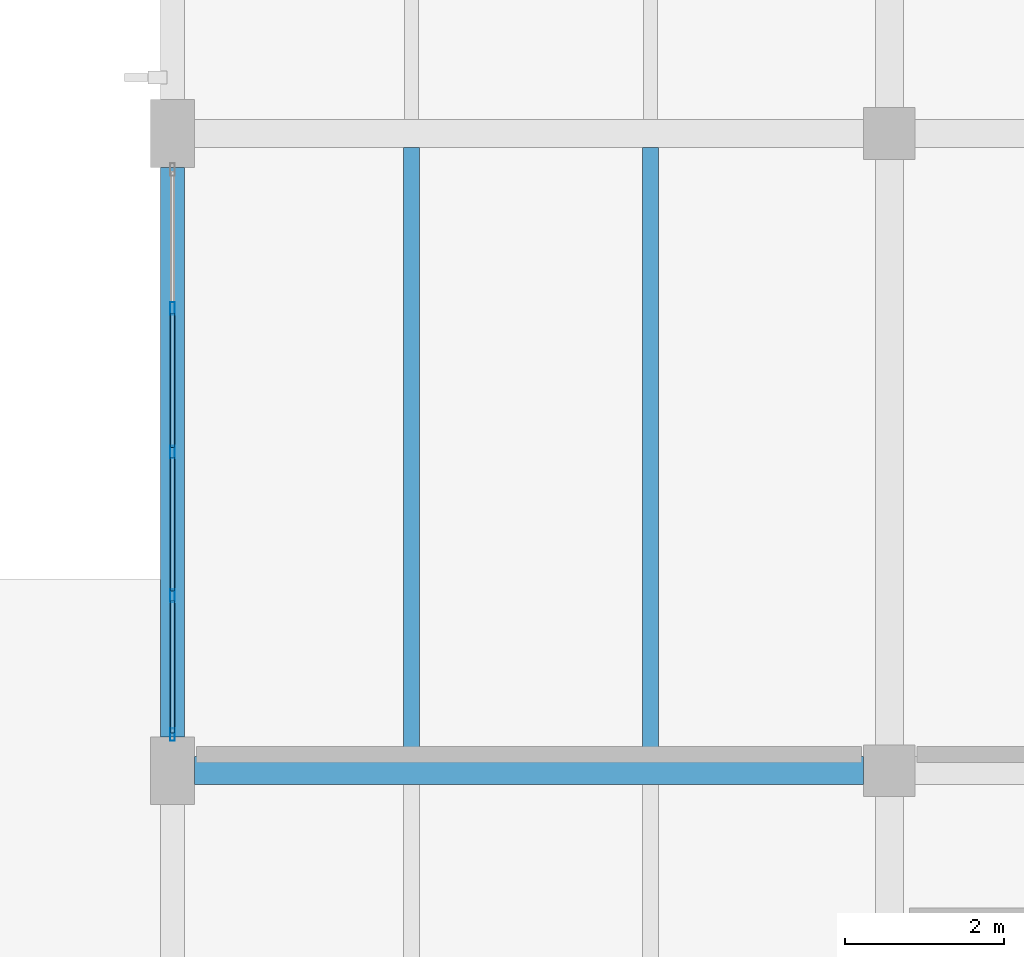
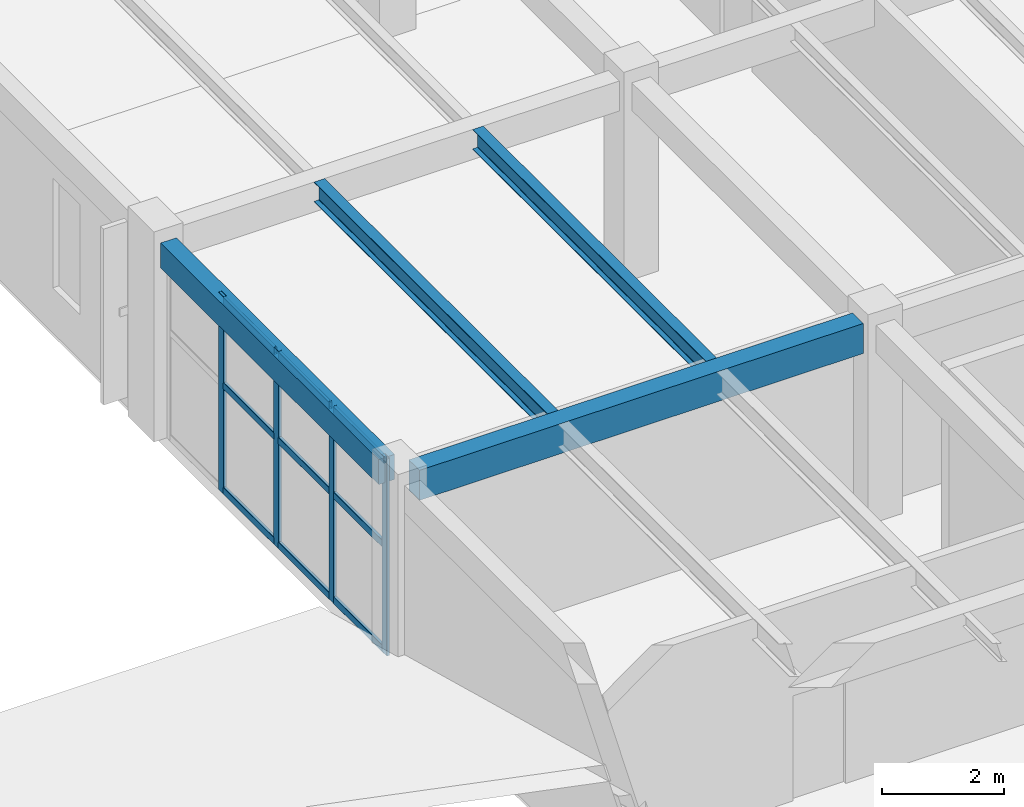
# One storey, part 22 of 71: 13 members, 4 beams, 1 element without a shape of its own.
"""IFC4 building model written with IfcOpenShell, lengths in metres."""

import ifcopenshell
import ifcopenshell.guid

model = None  # the IFC model being written
_history = None  # IfcOwnerHistory: only IFC2X3 demands one
_inside = {}  # id of a spatial element -> (the spatial element, [elements in it])
_under = {}  # id of a project, library or spatial element -> (it, [spatial elements below it])
_declared = {}  # id of a project -> (the project, [libraries it declares])
_typed = {}  # id of a type object -> (the type object, [elements of that type])
_made_of = {}  # id of a material, layer set ... -> (it, [elements and type objects made of it])


def new_model(schema):
    """Start an empty IFC model of exactly this schema.

    Asked for "IFC4X3", IfcOpenShell would pick the latest addendum, in which some entities
    have other attributes; the version numbers below select the first issue.
    IFC2X3 requires an IfcOwnerHistory on every rooted entity: one is made here for all.
    """
    global model, _history
    if schema == "IFC4X3":
        model = ifcopenshell.file(schema_version=(4, 3, 0, 0))
    else:
        model = ifcopenshell.file(schema=schema)
    _inside.clear()
    _under.clear()
    _declared.clear()
    _typed.clear()
    _made_of.clear()
    _history = None
    if model.schema == "IFC2X3":
        org = make("IfcOrganization", Name="unknown")
        user = make(
            "IfcPersonAndOrganization",
            ThePerson=make("IfcPerson", FamilyName="unknown"),
            TheOrganization=org,
        )
        app = make(
            "IfcApplication",
            ApplicationDeveloper=org,
            Version="unknown",
            ApplicationFullName="unknown",
            ApplicationIdentifier="unknown",
        )
        _history = make(
            "IfcOwnerHistory",
            OwningUser=user,
            OwningApplication=app,
            ChangeAction="ADDED",
            CreationDate=0,
        )
    return model


def make(cls, **values):
    """One entity of the class cls with the attributes given. An attribute that is None is left unset."""
    return model.create_entity(
        cls, **{name: value for name, value in values.items() if value is not None}
    )


def rooted(cls, **values):
    """An entity with a GlobalId (a new one), such as an element, a storey or a relation."""
    return make(cls, GlobalId=ifcopenshell.guid.new(), OwnerHistory=_history, **values)


def si_unit(unit_type, name, prefix=None):
    """IfcSIUnit, for example si_unit("LENGTHUNIT", "METRE", prefix="MILLI")."""
    return make("IfcSIUnit", UnitType=unit_type, Prefix=prefix, Name=name)


def derived_unit(unit_type, elements):
    """IfcDerivedUnit: a product of units, each with its exponent."""
    return make(
        "IfcDerivedUnit",
        Elements=[
            make("IfcDerivedUnitElement", Unit=unit, Exponent=power)
            for unit, power in elements
        ],
        UnitType=unit_type,
    )


def assignment(units):
    """IfcUnitAssignment: the units of a project."""
    return None if units is None else make("IfcUnitAssignment", Units=units)


def point(xyz):
    """IfcCartesianPoint."""
    return None if xyz is None else make("IfcCartesianPoint", Coordinates=xyz)


def direction(xyz):
    """IfcDirection."""
    return None if xyz is None else make("IfcDirection", DirectionRatios=xyz)


def frame(location, z_axis=None, x_axis=None):
    """IfcAxis2Placement3D, a coordinate frame: its origin and axes. An axis left out is left unset."""
    return make(
        "IfcAxis2Placement3D",
        Location=point(location),
        Axis=direction(z_axis),
        RefDirection=direction(x_axis),
    )


def frame_2d(location, x_axis=None):
    """IfcAxis2Placement2D, a coordinate frame in the plane: its origin and x axis."""
    return make(
        "IfcAxis2Placement2D", Location=point(location), RefDirection=direction(x_axis)
    )


def origin():
    """The frame at (0, 0, 0) with its axes left unset."""
    return frame((0.0, 0.0, 0.0))


def origin_2d():
    """The frame at (0, 0) in the plane with its x axis left unset."""
    return frame_2d((0.0, 0.0))


def place(relative_to, where):
    """IfcLocalPlacement: puts the frame where relative to a parent placement (None: the world)."""
    return make(
        "IfcLocalPlacement", PlacementRelTo=relative_to, RelativePlacement=where
    )


def context(
    kind, dimensions, precision=None, world=None, true_north=None, identifier=None
):
    """IfcGeometricRepresentationContext, for example the 3D "Model" context."""
    return make(
        "IfcGeometricRepresentationContext",
        ContextIdentifier=identifier,
        ContextType=kind,
        CoordinateSpaceDimension=dimensions,
        Precision=precision,
        WorldCoordinateSystem=world,
        TrueNorth=true_north,
    )


def subcontext(parent, identifier, kind, view, scale=None):
    """IfcGeometricRepresentationSubContext, for example "Body" below "Model"."""
    return make(
        "IfcGeometricRepresentationSubContext",
        ContextIdentifier=identifier,
        ContextType=kind,
        ParentContext=parent,
        TargetScale=scale,
        TargetView=view,
    )


def project(units=None, contexts=None):
    """IfcProject with its units and contexts."""
    return rooted(
        "IfcProject",
        Name="project",
        RepresentationContexts=contexts,
        UnitsInContext=assignment(units),
    )


def spatial(cls, under=None, at=None, **own):
    """A site, building, storey or space (cls), placed at a placement, below another one or the project."""
    s = rooted(cls, ObjectPlacement=at, **own)
    if under is not None:
        _under.setdefault(under.id(), (under, []))[1].append(s)
    return s


def profile(cls, at=None, kind="AREA", **sizes):
    """A parametric profile (cls). Its sizes go by their IFC names, for example OverallWidth=200.0."""
    return make(cls, ProfileType=kind, Position=at, **sizes)


def rectangle(**sizes):
    """IfcRectangleProfileDef."""
    return profile("IfcRectangleProfileDef", **sizes)


def hollow_rectangle(**sizes):
    """IfcRectangleHollowProfileDef."""
    return profile("IfcRectangleHollowProfileDef", **sizes)


def i_section(**sizes):
    """IfcIShapeProfileDef."""
    return profile("IfcIShapeProfileDef", **sizes)


def extrude(swept, where, along, depth):
    """IfcExtrudedAreaSolid: the profile swept, set in the frame where, extruded along a direction by depth."""
    return make(
        "IfcExtrudedAreaSolid",
        SweptArea=swept,
        Position=where,
        ExtrudedDirection=direction(along),
        Depth=depth,
    )


def shape(context_of_items, identifier, shape_type, items):
    """IfcShapeRepresentation: the items that make up one representation, for example the "Body"."""
    return make(
        "IfcShapeRepresentation",
        ContextOfItems=context_of_items,
        RepresentationIdentifier=identifier,
        RepresentationType=shape_type,
        Items=items,
    )


def material(Name=None, Category=None):
    """IfcMaterial."""
    return make("IfcMaterial", Name=Name, Category=Category)


def material_profile(
    of_material, cross_section, Name=None, Category=None, Priority=None
):
    """IfcMaterialProfile: a cross section and its material."""
    return make(
        "IfcMaterialProfile",
        Name=Name,
        Material=of_material,
        Profile=cross_section,
        Priority=Priority,
        Category=Category,
    )


def profile_set(profiles, Name=None, composite=None):
    """IfcMaterialProfileSet."""
    return make(
        "IfcMaterialProfileSet",
        Name=Name,
        MaterialProfiles=profiles,
        CompositeProfile=composite,
    )


def made_of(thing, what):
    """Note that an element or type object is made of a material, layer set ...; save() writes the relation."""
    if what is not None:
        _made_of.setdefault(what.id(), (what, []))[1].append(thing)
    return thing


def type_object(cls, material=None, **own):
    """A type object (cls), such as IfcWallType, which elements share."""
    return made_of(rooted(cls, **own), material)


def element(
    cls,
    number,
    at=None,
    inside=None,
    cuts=None,
    type_object=None,
    material=None,
    context=None,
    identifier="Body",
    shape_type=None,
    held_by="IfcProductDefinitionShape",
    body=None,
    shapes=None,
    **own,
):
    """One element of the class cls, such as IfcWall. Its Tag is "e" and its number.

    at: its placement. inside: the storey or other place that contains it. cuts: it is an
    opening in that element (IfcRelVoidsElement). A single representation is given by context,
    identifier, shape_type and body (its items); several are given by shapes. held_by: the class
    of the entity that holds the representations. save() writes the other relations.
    """
    e = rooted(cls, Tag="e%d" % number, ObjectPlacement=at, **own)
    if body is not None:
        shapes = [shape(context, identifier, shape_type, body)]
    if shapes is not None:
        e.Representation = make(held_by, Representations=shapes)
    if inside is not None:
        _inside.setdefault(inside.id(), (inside, []))[1].append(e)
    if cuts is not None:
        rooted(
            "IfcRelVoidsElement", RelatingBuildingElement=cuts, RelatedOpeningElement=e
        )
    if type_object is not None:
        _typed.setdefault(type_object.id(), (type_object, []))[1].append(e)
    return made_of(e, material)


def aggregate(whole, parts):
    """IfcRelAggregates: a whole, such as a stair, and the parts it consists of."""
    return rooted("IfcRelAggregates", RelatingObject=whole, RelatedObjects=parts)


def save(model, path):
    """Write the relations noted so far, then the file.

    IfcRelAggregates (storeys below a building ...), IfcRelContainedInSpatialStructure (elements
    in a storey), IfcRelDefinesByType, IfcRelAssociatesMaterial and IfcRelDeclares: one each for
    every whole, place, type object, material and project.
    """
    for whole, parts in _under.values():
        aggregate(whole, parts)
    for where, things in _inside.values():
        rooted(
            "IfcRelContainedInSpatialStructure",
            RelatedElements=things,
            RelatingStructure=where,
        )
    for kind, things in _typed.values():
        rooted("IfcRelDefinesByType", RelatedObjects=things, RelatingType=kind)
    for what, things in _made_of.values():
        rooted("IfcRelAssociatesMaterial", RelatedObjects=things, RelatingMaterial=what)
    for by, libraries in _declared.values():
        rooted("IfcRelDeclares", RelatingContext=by, RelatedDefinitions=libraries)
    model.write(path)


model = new_model("IFC4")

# Units and contexts
model_context = context("Model", 3, precision=1e-05, world=origin(), true_north=direction((0.0, 1.0)))
body_context = subcontext(model_context, "Body", "Model", "MODEL_VIEW")
ifc_project = project(units=[si_unit("LENGTHUNIT", "METRE"), si_unit("AREAUNIT", "SQUARE_METRE"), si_unit("VOLUMEUNIT", "CUBIC_METRE"), si_unit("PLANEANGLEUNIT", "RADIAN"), si_unit("MASSUNIT", "GRAM", prefix="KILO"), derived_unit("THERMALTRANSMITTANCEUNIT", [(si_unit("MASSUNIT", "GRAM", prefix="KILO"), 1), (si_unit("TIMEUNIT", "SECOND"), -3), (si_unit("THERMODYNAMICTEMPERATUREUNIT", "KELVIN"), -1)])], contexts=[model_context])

# Site, building, storey
site_placement = place(None, origin())
site = spatial("IfcSite", under=ifc_project, at=site_placement, CompositionType="ELEMENT")
building_placement = place(site_placement, origin())
building = spatial("IfcBuilding", under=site, at=building_placement, Name="Zhenchuan Archway Interchange", CompositionType="ELEMENT")
storey_placement = place(building_placement, frame((0.0, 0.0, 18.60009765625)))
storey = spatial("IfcBuildingStorey", under=building, at=storey_placement, Name="L04", CompositionType="ELEMENT", Elevation=18.60009765625)

# Beam
ifc_material_1 = material(Name="Concrete C40", Category="concrete")
ifc_material_profile_1 = material_profile(ifc_material_1, rectangle(XDim=0.35009765625, YDim=0.60009765625, at=origin_2d()), Name="RC 350x600")
ifc_profile_set_1 = profile_set([ifc_material_profile_1], Name="Concrete C40")
beam_type_1 = type_object("IfcBeamType", Name="BM_RC_350x600", PredefinedType="BEAM", material=ifc_profile_set_1)
beam_1_placement = place(storey_placement, frame((144.27490234375, 24.0, 3.639892578125), z_axis=(1.0, 0.0, 0.0), x_axis=(0.0, 1.0, 0.0)))
element("IfcBeam", 1, at=beam_1_placement, inside=storey, type_object=beam_type_1, Name="Beam D:17-18 (L04)", PredefinedType="BEAM", context=body_context, shape_type="SweptSolid", body=[
    extrude(rectangle(XDim=0.35009765625, YDim=0.60009765625, at=origin_2d()), origin(), (0.0, 0.0, 1.0), 8.400146484375),
])

# Curtain wall, members
ifc_material_2 = material(Name="Anodised Aluminium", Category="aluminium")
curtain_wall_type = type_object("IfcCurtainWallType", Name="CW_UNIT_2", PredefinedType="NOTDEFINED", material=ifc_material_2)
curtain_wall_placement = place(storey_placement, origin())
curtain_wall = element("IfcCurtainWall", 2, at=curtain_wall_placement, inside=storey, type_object=curtain_wall_type, Name="Unitised curtain wall CW:L04:189", PredefinedType="NOTDEFINED")
ifc_material_profile_2 = material_profile(ifc_material_2, hollow_rectangle(XDim=0.06005859375, YDim=0.159912109375, WallThickness=0.00390625, InnerFilletRadius=0.00390625, OuterFilletRadius=0.008056640625, at=origin_2d()), Name="ALU 160x60x4")
ifc_profile_set_2 = profile_set([ifc_material_profile_2], Name="Anodised Aluminium")
member_type_1 = type_object("IfcMemberType", Name="CW_MUL_150", PredefinedType="MULLION", material=ifc_profile_set_2)
member_1_placement = place(storey_placement, frame((144.0, 24.452880859375, 0.0), z_axis=(0.0, 0.0, 1.0), x_axis=(1.0, 0.0, 0.0)))
member_1 = element("IfcMember", 3, at=member_1_placement, type_object=member_type_1, Name="CW:L04:189 mullion 0", PredefinedType="MULLION", context=body_context, shape_type="SweptSolid", body=[
    extrude(hollow_rectangle(XDim=0.06005859375, YDim=0.159912109375, WallThickness=0.00390625, InnerFilletRadius=0.00390625, OuterFilletRadius=0.008056640625, at=origin_2d()), origin(), (0.0, 0.0, 1.0), 3.93994140625),
])
member_2_placement = place(storey_placement, frame((144.0, 26.196533203125, 0.0), z_axis=(0.0, 0.0, 1.0), x_axis=(1.0, 0.0, 0.0)))
member_2 = element("IfcMember", 4, at=member_2_placement, type_object=member_type_1, Name="CW:L04:189 mullion 1", PredefinedType="MULLION", context=body_context, shape_type="SweptSolid", body=[
    extrude(hollow_rectangle(XDim=0.06005859375, YDim=0.159912109375, WallThickness=0.00390625, InnerFilletRadius=0.00390625, OuterFilletRadius=0.008056640625, at=origin_2d()), origin(), (0.0, 0.0, 1.0), 3.93994140625),
])
member_3_placement = place(storey_placement, frame((144.0, 28.0, 0.0), z_axis=(0.0, 0.0, 1.0), x_axis=(1.0, 0.0, 0.0)))
member_3 = element("IfcMember", 5, at=member_3_placement, type_object=member_type_1, Name="CW:L04:189 mullion 2", PredefinedType="MULLION", context=body_context, shape_type="SweptSolid", body=[
    extrude(hollow_rectangle(XDim=0.06005859375, YDim=0.159912109375, WallThickness=0.00390625, InnerFilletRadius=0.00390625, OuterFilletRadius=0.008056640625, at=origin_2d()), origin(), (0.0, 0.0, 1.0), 3.93994140625),
])
member_4_placement = place(storey_placement, frame((144.0, 29.803466796875, 0.0), z_axis=(0.0, 0.0, 1.0), x_axis=(1.0, 0.0, 0.0)))
member_4 = element("IfcMember", 6, at=member_4_placement, type_object=member_type_1, Name="CW:L04:189 mullion 3", PredefinedType="MULLION", context=body_context, shape_type="SweptSolid", body=[
    extrude(hollow_rectangle(XDim=0.06005859375, YDim=0.159912109375, WallThickness=0.00390625, InnerFilletRadius=0.00390625, OuterFilletRadius=0.008056640625, at=origin_2d()), origin(), (0.0, 0.0, 1.0), 3.93994140625),
])
ifc_material_profile_3 = material_profile(ifc_material_2, hollow_rectangle(XDim=0.06005859375, YDim=0.139892578125, WallThickness=0.00341796875, InnerFilletRadius=0.00341796875, OuterFilletRadius=0.007080078125, at=origin_2d()), Name="ALU 140x60x3.5")
ifc_profile_set_3 = profile_set([ifc_material_profile_3], Name="Anodised Aluminium")
member_type_2 = type_object("IfcMemberType", Name="CW_TRN_140", PredefinedType="USERDEFINED", material=ifc_profile_set_3)
member_5_placement = place(storey_placement, frame((144.0, 24.472900390625, 0.059814453125), z_axis=(0.0, 1.0, 0.0), x_axis=(-1.0, 0.0, 0.0)))
member_5 = element("IfcMember", 7, at=member_5_placement, type_object=member_type_2, Name="CW:L04:189 transom 0-1", ObjectType="TRANSOM", PredefinedType="USERDEFINED", context=body_context, shape_type="SweptSolid", body=[
    extrude(hollow_rectangle(XDim=0.06005859375, YDim=0.139892578125, WallThickness=0.00341796875, InnerFilletRadius=0.00341796875, OuterFilletRadius=0.007080078125, at=origin_2d()), origin(), (0.0, 0.0, 1.0), 1.66357421875),
])
member_6_placement = place(storey_placement, frame((144.0, 24.472900390625, 2.156005859375), z_axis=(0.0, 1.0, 0.0), x_axis=(-1.0, 0.0, 0.0)))
member_6 = element("IfcMember", 8, at=member_6_placement, type_object=member_type_2, Name="CW:L04:189 transom 0-2", ObjectType="TRANSOM", PredefinedType="USERDEFINED", context=body_context, shape_type="SweptSolid", body=[
    extrude(hollow_rectangle(XDim=0.06005859375, YDim=0.139892578125, WallThickness=0.00341796875, InnerFilletRadius=0.00341796875, OuterFilletRadius=0.007080078125, at=origin_2d()), origin(), (0.0, 0.0, 1.0), 1.66357421875),
])
member_7_placement = place(storey_placement, frame((144.0, 24.472900390625, 3.85986328125), z_axis=(0.0, 1.0, 0.0), x_axis=(-1.0, 0.0, 0.0)))
member_7 = element("IfcMember", 9, at=member_7_placement, type_object=member_type_2, Name="CW:L04:189 transom 0-3", ObjectType="TRANSOM", PredefinedType="USERDEFINED", context=body_context, shape_type="SweptSolid", body=[
    extrude(hollow_rectangle(XDim=0.06005859375, YDim=0.139892578125, WallThickness=0.00341796875, InnerFilletRadius=0.00341796875, OuterFilletRadius=0.007080078125, at=origin_2d()), origin(), (0.0, 0.0, 1.0), 1.66357421875),
])
member_8_placement = place(storey_placement, frame((144.0, 26.256591796875, 0.059814453125), z_axis=(0.0, 1.0, 0.0), x_axis=(-1.0, 0.0, 0.0)))
member_8 = element("IfcMember", 10, at=member_8_placement, type_object=member_type_2, Name="CW:L04:189 transom 1-1", ObjectType="TRANSOM", PredefinedType="USERDEFINED", context=body_context, shape_type="SweptSolid", body=[
    extrude(hollow_rectangle(XDim=0.06005859375, YDim=0.139892578125, WallThickness=0.00341796875, InnerFilletRadius=0.00341796875, OuterFilletRadius=0.007080078125, at=origin_2d()), origin(), (0.0, 0.0, 1.0), 1.683349609375),
])
member_9_placement = place(storey_placement, frame((144.0, 26.256591796875, 2.156005859375), z_axis=(0.0, 1.0, 0.0), x_axis=(-1.0, 0.0, 0.0)))
member_9 = element("IfcMember", 11, at=member_9_placement, type_object=member_type_2, Name="CW:L04:189 transom 1-2", ObjectType="TRANSOM", PredefinedType="USERDEFINED", context=body_context, shape_type="SweptSolid", body=[
    extrude(hollow_rectangle(XDim=0.06005859375, YDim=0.139892578125, WallThickness=0.00341796875, InnerFilletRadius=0.00341796875, OuterFilletRadius=0.007080078125, at=origin_2d()), origin(), (0.0, 0.0, 1.0), 1.683349609375),
])
member_10_placement = place(storey_placement, frame((144.0, 26.256591796875, 3.85986328125), z_axis=(0.0, 1.0, 0.0), x_axis=(-1.0, 0.0, 0.0)))
member_10 = element("IfcMember", 12, at=member_10_placement, type_object=member_type_2, Name="CW:L04:189 transom 1-3", ObjectType="TRANSOM", PredefinedType="USERDEFINED", context=body_context, shape_type="SweptSolid", body=[
    extrude(hollow_rectangle(XDim=0.06005859375, YDim=0.139892578125, WallThickness=0.00341796875, InnerFilletRadius=0.00341796875, OuterFilletRadius=0.007080078125, at=origin_2d()), origin(), (0.0, 0.0, 1.0), 1.683349609375),
])
member_11_placement = place(storey_placement, frame((144.0, 28.06005859375, 0.059814453125), z_axis=(0.0, 1.0, 0.0), x_axis=(-1.0, 0.0, 0.0)))
member_11 = element("IfcMember", 13, at=member_11_placement, type_object=member_type_2, Name="CW:L04:189 transom 2-1", ObjectType="TRANSOM", PredefinedType="USERDEFINED", context=body_context, shape_type="SweptSolid", body=[
    extrude(hollow_rectangle(XDim=0.06005859375, YDim=0.139892578125, WallThickness=0.00341796875, InnerFilletRadius=0.00341796875, OuterFilletRadius=0.007080078125, at=origin_2d()), origin(), (0.0, 0.0, 1.0), 1.683349609375),
])
member_12_placement = place(storey_placement, frame((144.0, 28.06005859375, 2.156005859375), z_axis=(0.0, 1.0, 0.0), x_axis=(-1.0, 0.0, 0.0)))
member_12 = element("IfcMember", 14, at=member_12_placement, type_object=member_type_2, Name="CW:L04:189 transom 2-2", ObjectType="TRANSOM", PredefinedType="USERDEFINED", context=body_context, shape_type="SweptSolid", body=[
    extrude(hollow_rectangle(XDim=0.06005859375, YDim=0.139892578125, WallThickness=0.00341796875, InnerFilletRadius=0.00341796875, OuterFilletRadius=0.007080078125, at=origin_2d()), origin(), (0.0, 0.0, 1.0), 1.683349609375),
])
member_13_placement = place(storey_placement, frame((144.0, 28.06005859375, 3.85986328125), z_axis=(0.0, 1.0, 0.0), x_axis=(-1.0, 0.0, 0.0)))
member_13 = element("IfcMember", 15, at=member_13_placement, type_object=member_type_2, Name="CW:L04:189 transom 2-3", ObjectType="TRANSOM", PredefinedType="USERDEFINED", context=body_context, shape_type="SweptSolid", body=[
    extrude(hollow_rectangle(XDim=0.06005859375, YDim=0.139892578125, WallThickness=0.00341796875, InnerFilletRadius=0.00341796875, OuterFilletRadius=0.007080078125, at=origin_2d()), origin(), (0.0, 0.0, 1.0), 1.683349609375),
])
aggregate(curtain_wall, [member_1, member_2, member_3, member_4, member_5, member_6, member_7, member_8, member_9, member_10, member_11, member_12, member_13])

# Beams
ifc_material_3 = material(Name="Steel Q355", Category="steel")
ifc_material_profile_4 = material_profile(ifc_material_3, i_section(OverallWidth=0.199951171875, OverallDepth=0.39990234375, WebThickness=0.008056640625, FlangeThickness=0.012939453125, FilletRadius=0.01611328125, at=origin_2d()), Name="HN 400x200")
ifc_profile_set_4 = profile_set([ifc_material_profile_4], Name="Steel Q355")
beam_type_2 = type_object("IfcBeamType", Name="JST_STL_HN400", PredefinedType="JOIST", material=ifc_profile_set_4)
for number, where, z_axis, x_axis, name in (
    (16, (147.0, 24.175048828125, 3.739990234375), (0.0, 1.0, 0.0), (-1.0, 0.0, 0.0), "Secondary joist 17-18/D-E #1 (L04)"),
    (17, (150.0, 24.175048828125, 3.739990234375), (0.0, 1.0, 0.0), (-1.0, 0.0, 0.0), "Secondary joist 17-18/D-E #2 (L04)"),
):
    element("IfcBeam", number, at=place(storey_placement, frame(where, z_axis=z_axis, x_axis=x_axis)), inside=storey, type_object=beam_type_2, Name=name, PredefinedType="JOIST", context=body_context, shape_type="SweptSolid", body=[
        extrude(i_section(OverallWidth=0.199951171875, OverallDepth=0.39990234375, WebThickness=0.008056640625, FlangeThickness=0.012939453125, FilletRadius=0.01611328125, at=origin_2d()), origin(), (0.0, 0.0, 1.0), 7.64990234375),
    ])
ifc_material_profile_5 = material_profile(ifc_material_1, rectangle(XDim=0.300048828125, YDim=0.5, at=origin_2d()), Name="RC 300x500")
ifc_profile_set_5 = profile_set([ifc_material_profile_5], Name="Concrete C40")
beam_type_3 = type_object("IfcBeamType", Name="SP_RC_300x500", PredefinedType="SPANDREL", material=ifc_profile_set_5)
beam_2_placement = place(storey_placement, frame((144.0, 24.425048828125, 3.68994140625), z_axis=(0.0, 1.0, 0.0), x_axis=(-1.0, 0.0, 0.0)))
element("IfcBeam", 18, at=beam_2_placement, inside=storey, type_object=beam_type_3, Name="Beam 17:D-E (L04)", PredefinedType="SPANDREL", context=body_context, shape_type="SweptSolid", body=[
    extrude(rectangle(XDim=0.300048828125, YDim=0.5, at=origin_2d()), origin(), (0.0, 0.0, 1.0), 7.14990234375),
])

save(model, "model.ifc")
